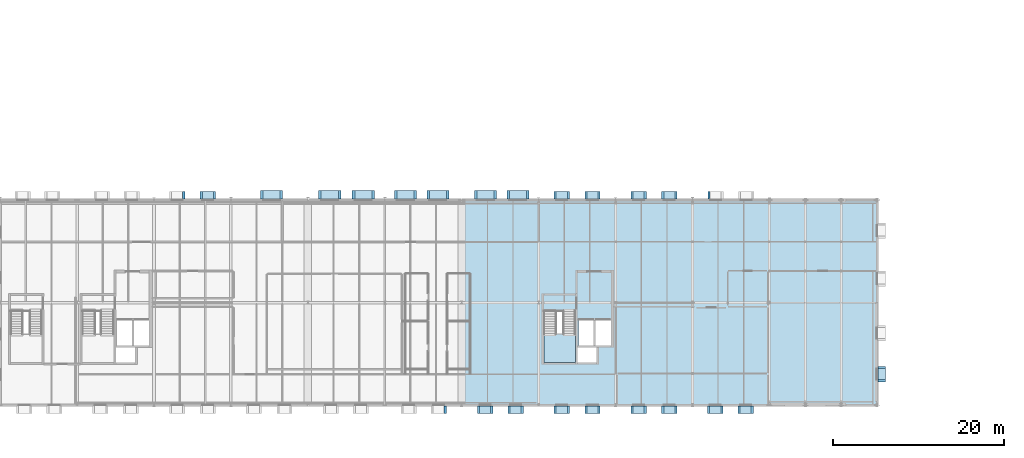
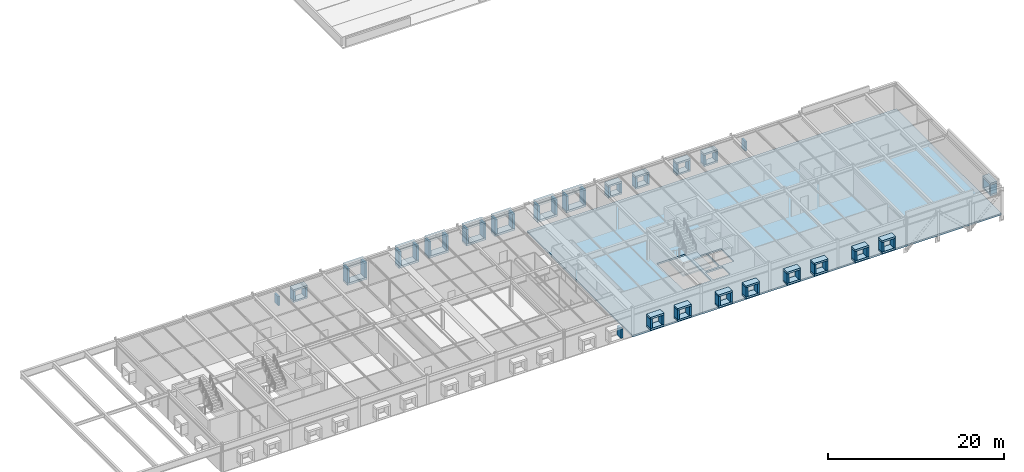
# One storey, part 17 of 36: 87 plates, 2 slabs, 1 element without a shape of its own.
"""IFC4 building model written with IfcOpenShell, lengths in metres."""

from ifc_helpers import new_model, si_unit, direction, frame, origin, origin_2d, place, context, subcontext, project, spatial, polyline, rectangle, outline, extrude, material, layer, layer_set, type_object, element, aggregate, save


model = new_model("IFC4")

# Units and contexts
model_context = context("Model", 3, precision=1e-05, world=origin(), true_north=direction((0.0, 1.0)))
body_context = subcontext(model_context, "Body", "Model", "MODEL_VIEW")
ifc_project = project(units=[si_unit("LENGTHUNIT", "METRE"), si_unit("AREAUNIT", "SQUARE_METRE"), si_unit("VOLUMEUNIT", "CUBIC_METRE"), si_unit("PLANEANGLEUNIT", "RADIAN"), si_unit("MASSUNIT", "GRAM", prefix="KILO")], contexts=[model_context])

# Site, building, storey
site_placement = place(None, origin())
site = spatial("IfcSite", under=ifc_project, at=site_placement, CompositionType="ELEMENT")
building_placement = place(site_placement, origin())
building = spatial("IfcBuilding", under=site, at=building_placement, Name="Montelvaro Courts of Justice", CompositionType="ELEMENT")
storey_placement = place(building_placement, frame((0.0, 0.0, 23.39990234375)))
storey = spatial("IfcBuildingStorey", under=building, at=storey_placement, Name="L05", CompositionType="ELEMENT", Elevation=23.39990234375)

# Slab
ifc_material_1 = material(Name="Concrete C35/45", Category="concrete")
ifc_layer_1 = layer(ifc_material_1, 0.239990234375)
ifc_layer_set_1 = layer_set([ifc_layer_1], Name="Concrete C35/45")
slab_type_1 = type_object("IfcSlabType", Name="FloorSlab_240", PredefinedType="FLOOR", material=ifc_layer_set_1)
slab_1_placement = place(storey_placement, frame((0.0, 0.0, -0.239990234375)))
element("IfcSlab", 1, at=slab_1_placement, inside=storey, type_object=slab_type_1, Name="Structural Slab SF-08 L05", PredefinedType="FLOOR", context=body_context, shape_type="SweptSolid", body=[
    extrude(outline(polyline([(99.050048828125, 0.0), (147.60009765625, 0.0), (147.60009765625, 24.0), (99.050048828125, 24.0), (99.050048828125, 0.0)]), holes=[polyline([(108.60009765625, 5.0), (112.300048828125, 5.0), (112.300048828125, 11.0), (108.60009765625, 11.0), (108.60009765625, 5.0)]), polyline([(112.5400390625, 5.0), (114.800048828125, 5.0), (114.800048828125, 6.760009765625), (112.5400390625, 6.760009765625), (112.5400390625, 5.0)]), polyline([(112.64990234375, 7.0), (114.5, 7.0), (114.5, 9.89990234375), (112.64990234375, 9.89990234375), (112.64990234375, 7.0)]), polyline([(114.60009765625, 7.0), (116.449951171875, 7.0), (116.449951171875, 9.89990234375), (114.60009765625, 9.89990234375), (114.60009765625, 7.0)])]), origin(), (0.0, 0.0, 1.0), 0.239990234375),
])

# Plates
ifc_material_2 = material(Name="White mineral precast concrete C45/55", Category="concrete")
ifc_layer_2 = layer(ifc_material_2, 0.25)
ifc_layer_set_2 = layer_set([ifc_layer_2], Name="White mineral precast concrete C45/55")
plate_type_1 = type_object("IfcPlateType", Name="PrecastSquareFrame_250x850", PredefinedType="SHEET", material=ifc_layer_set_2)
for number, where, z_axis, x_axis, name in (
    (2, (69.297119140625, 24.56005859375, 2.2001953125), (0.0, 0.0, 1.0), (-1.0, 0.0, 0.0), "Graduated Square Window Frame PF-03 W-L05-246 TOP"),
    (3, (69.297119140625, 24.56005859375, 0.650146484375), (0.0, 0.0, 1.0), (-1.0, 0.0, 0.0), "Graduated Square Window Frame PF-03 W-L05-246 BOT"),
):
    element("IfcPlate", number, at=place(storey_placement, frame(where, z_axis=z_axis, x_axis=x_axis)), inside=storey, type_object=plate_type_1, Name=name, PredefinedType="SHEET", context=body_context, shape_type="SweptSolid", body=[
        extrude(rectangle(XDim=1.800048828125, YDim=0.860107421875, at=origin_2d()), origin(), (0.0, 0.0, 1.0), 0.25),
    ])
for number, where, z_axis, x_axis, name in (
    (4, (70.072021484375, 24.56005859375, 0.89990234375), (0.0, 0.0, 1.0), (-1.0, 0.0, 0.0), "Graduated Square Window Frame PF-03 W-L05-246 L"),
    (5, (68.52197265625, 24.56005859375, 0.89990234375), (0.0, 0.0, 1.0), (-1.0, 0.0, 0.0), "Graduated Square Window Frame PF-03 W-L05-246 R"),
    (6, (66.47802734375, 24.56005859375, 0.89990234375), (0.0, 0.0, 1.0), (-1.0, 0.0, 0.0), "Graduated Square Window Frame PF-03 W-L05-247 L"),
    (7, (97.08203125, -0.56005859375, 0.89990234375), (0.0, 0.0, 1.0), (1.0, 0.0, 0.0), "Graduated Square Window Frame PF-03 W-L05-259 R"),
):
    element("IfcPlate", number, at=place(storey_placement, frame(where, z_axis=z_axis, x_axis=x_axis)), inside=storey, type_object=plate_type_1, Name=name, PredefinedType="SHEET", context=body_context, shape_type="SweptSolid", body=[
        extrude(rectangle(XDim=0.25, YDim=0.860107421875, at=origin_2d()), origin(), (0.0, 0.0, 1.0), 1.300048828125),
    ])
for number, where, z_axis, x_axis, name in (
    (8, (101.738037109375, -0.56005859375, 2.2001953125), (0.0, 0.0, 1.0), (1.0, 0.0, 0.0), "Graduated Square Window Frame PF-03 W-L05-264 TOP"),
    (9, (101.738037109375, -0.56005859375, 0.650146484375), (0.0, 0.0, 1.0), (1.0, 0.0, 0.0), "Graduated Square Window Frame PF-03 W-L05-264 BOT"),
):
    element("IfcPlate", number, at=place(storey_placement, frame(where, z_axis=z_axis, x_axis=x_axis)), inside=storey, type_object=plate_type_1, Name=name, PredefinedType="SHEET", context=body_context, shape_type="SweptSolid", body=[
        extrude(rectangle(XDim=1.800048828125, YDim=0.860107421875, at=origin_2d()), origin(), (0.0, 0.0, 1.0), 0.25),
    ])
for number, where, z_axis, x_axis, name in (
    (10, (100.962890625, -0.56005859375, 0.89990234375), (0.0, 0.0, 1.0), (1.0, 0.0, 0.0), "Graduated Square Window Frame PF-03 W-L05-264 L"),
    (11, (102.512939453125, -0.56005859375, 0.89990234375), (0.0, 0.0, 1.0), (1.0, 0.0, 0.0), "Graduated Square Window Frame PF-03 W-L05-264 R"),
):
    element("IfcPlate", number, at=place(storey_placement, frame(where, z_axis=z_axis, x_axis=x_axis)), inside=storey, type_object=plate_type_1, Name=name, PredefinedType="SHEET", context=body_context, shape_type="SweptSolid", body=[
        extrude(rectangle(XDim=0.25, YDim=0.860107421875, at=origin_2d()), origin(), (0.0, 0.0, 1.0), 1.300048828125),
    ])
for number, where, z_axis, x_axis, name in (
    (12, (105.31201171875, -0.56005859375, 2.2001953125), (0.0, 0.0, 1.0), (1.0, 0.0, 0.0), "Graduated Square Window Frame PF-03 W-L05-265 TOP"),
    (13, (105.31201171875, -0.56005859375, 0.650146484375), (0.0, 0.0, 1.0), (1.0, 0.0, 0.0), "Graduated Square Window Frame PF-03 W-L05-265 BOT"),
):
    element("IfcPlate", number, at=place(storey_placement, frame(where, z_axis=z_axis, x_axis=x_axis)), inside=storey, type_object=plate_type_1, Name=name, PredefinedType="SHEET", context=body_context, shape_type="SweptSolid", body=[
        extrude(rectangle(XDim=1.800048828125, YDim=0.860107421875, at=origin_2d()), origin(), (0.0, 0.0, 1.0), 0.25),
    ])
for number, where, z_axis, x_axis, name in (
    (14, (104.537109375, -0.56005859375, 0.89990234375), (0.0, 0.0, 1.0), (1.0, 0.0, 0.0), "Graduated Square Window Frame PF-03 W-L05-265 L"),
    (15, (106.0869140625, -0.56005859375, 0.89990234375), (0.0, 0.0, 1.0), (1.0, 0.0, 0.0), "Graduated Square Window Frame PF-03 W-L05-265 R"),
):
    element("IfcPlate", number, at=place(storey_placement, frame(where, z_axis=z_axis, x_axis=x_axis)), inside=storey, type_object=plate_type_1, Name=name, PredefinedType="SHEET", context=body_context, shape_type="SweptSolid", body=[
        extrude(rectangle(XDim=0.25, YDim=0.860107421875, at=origin_2d()), origin(), (0.0, 0.0, 1.0), 1.300048828125),
    ])
for number, where, z_axis, x_axis, name in (
    (16, (110.702880859375, -0.56005859375, 2.2001953125), (0.0, 0.0, 1.0), (1.0, 0.0, 0.0), "Graduated Square Window Frame PF-03 W-L05-266 TOP"),
    (17, (110.702880859375, -0.56005859375, 0.650146484375), (0.0, 0.0, 1.0), (1.0, 0.0, 0.0), "Graduated Square Window Frame PF-03 W-L05-266 BOT"),
):
    element("IfcPlate", number, at=place(storey_placement, frame(where, z_axis=z_axis, x_axis=x_axis)), inside=storey, type_object=plate_type_1, Name=name, PredefinedType="SHEET", context=body_context, shape_type="SweptSolid", body=[
        extrude(rectangle(XDim=1.800048828125, YDim=0.860107421875, at=origin_2d()), origin(), (0.0, 0.0, 1.0), 0.25),
    ])
for number, where, z_axis, x_axis, name in (
    (18, (109.927978515625, -0.56005859375, 0.89990234375), (0.0, 0.0, 1.0), (1.0, 0.0, 0.0), "Graduated Square Window Frame PF-03 W-L05-266 L"),
    (19, (111.47802734375, -0.56005859375, 0.89990234375), (0.0, 0.0, 1.0), (1.0, 0.0, 0.0), "Graduated Square Window Frame PF-03 W-L05-266 R"),
):
    element("IfcPlate", number, at=place(storey_placement, frame(where, z_axis=z_axis, x_axis=x_axis)), inside=storey, type_object=plate_type_1, Name=name, PredefinedType="SHEET", context=body_context, shape_type="SweptSolid", body=[
        extrude(rectangle(XDim=0.25, YDim=0.860107421875, at=origin_2d()), origin(), (0.0, 0.0, 1.0), 1.300048828125),
    ])
for number, where, z_axis, x_axis, name in (
    (20, (114.297119140625, -0.56005859375, 2.2001953125), (0.0, 0.0, 1.0), (1.0, 0.0, 0.0), "Graduated Square Window Frame PF-03 W-L05-267 TOP"),
    (21, (114.297119140625, -0.56005859375, 0.650146484375), (0.0, 0.0, 1.0), (1.0, 0.0, 0.0), "Graduated Square Window Frame PF-03 W-L05-267 BOT"),
):
    element("IfcPlate", number, at=place(storey_placement, frame(where, z_axis=z_axis, x_axis=x_axis)), inside=storey, type_object=plate_type_1, Name=name, PredefinedType="SHEET", context=body_context, shape_type="SweptSolid", body=[
        extrude(rectangle(XDim=1.800048828125, YDim=0.860107421875, at=origin_2d()), origin(), (0.0, 0.0, 1.0), 0.25),
    ])
for number, where, z_axis, x_axis, name in (
    (22, (113.52197265625, -0.56005859375, 0.89990234375), (0.0, 0.0, 1.0), (1.0, 0.0, 0.0), "Graduated Square Window Frame PF-03 W-L05-267 L"),
    (23, (115.072021484375, -0.56005859375, 0.89990234375), (0.0, 0.0, 1.0), (1.0, 0.0, 0.0), "Graduated Square Window Frame PF-03 W-L05-267 R"),
):
    element("IfcPlate", number, at=place(storey_placement, frame(where, z_axis=z_axis, x_axis=x_axis)), inside=storey, type_object=plate_type_1, Name=name, PredefinedType="SHEET", context=body_context, shape_type="SweptSolid", body=[
        extrude(rectangle(XDim=0.25, YDim=0.860107421875, at=origin_2d()), origin(), (0.0, 0.0, 1.0), 1.300048828125),
    ])
for number, where, z_axis, x_axis, name in (
    (24, (119.702880859375, -0.56005859375, 2.2001953125), (0.0, 0.0, 1.0), (1.0, 0.0, 0.0), "Graduated Square Window Frame PF-03 W-L05-268 TOP"),
    (25, (119.702880859375, -0.56005859375, 0.650146484375), (0.0, 0.0, 1.0), (1.0, 0.0, 0.0), "Graduated Square Window Frame PF-03 W-L05-268 BOT"),
):
    element("IfcPlate", number, at=place(storey_placement, frame(where, z_axis=z_axis, x_axis=x_axis)), inside=storey, type_object=plate_type_1, Name=name, PredefinedType="SHEET", context=body_context, shape_type="SweptSolid", body=[
        extrude(rectangle(XDim=1.800048828125, YDim=0.860107421875, at=origin_2d()), origin(), (0.0, 0.0, 1.0), 0.25),
    ])
for number, where, z_axis, x_axis, name in (
    (26, (118.927978515625, -0.56005859375, 0.89990234375), (0.0, 0.0, 1.0), (1.0, 0.0, 0.0), "Graduated Square Window Frame PF-03 W-L05-268 L"),
    (27, (120.47802734375, -0.56005859375, 0.89990234375), (0.0, 0.0, 1.0), (1.0, 0.0, 0.0), "Graduated Square Window Frame PF-03 W-L05-268 R"),
):
    element("IfcPlate", number, at=place(storey_placement, frame(where, z_axis=z_axis, x_axis=x_axis)), inside=storey, type_object=plate_type_1, Name=name, PredefinedType="SHEET", context=body_context, shape_type="SweptSolid", body=[
        extrude(rectangle(XDim=0.25, YDim=0.860107421875, at=origin_2d()), origin(), (0.0, 0.0, 1.0), 1.300048828125),
    ])
for number, where, z_axis, x_axis, name in (
    (28, (123.297119140625, -0.56005859375, 2.2001953125), (0.0, 0.0, 1.0), (1.0, 0.0, 0.0), "Graduated Square Window Frame PF-03 W-L05-269 TOP"),
    (29, (123.297119140625, -0.56005859375, 0.650146484375), (0.0, 0.0, 1.0), (1.0, 0.0, 0.0), "Graduated Square Window Frame PF-03 W-L05-269 BOT"),
):
    element("IfcPlate", number, at=place(storey_placement, frame(where, z_axis=z_axis, x_axis=x_axis)), inside=storey, type_object=plate_type_1, Name=name, PredefinedType="SHEET", context=body_context, shape_type="SweptSolid", body=[
        extrude(rectangle(XDim=1.800048828125, YDim=0.860107421875, at=origin_2d()), origin(), (0.0, 0.0, 1.0), 0.25),
    ])
for number, where, z_axis, x_axis, name in (
    (30, (122.52197265625, -0.56005859375, 0.89990234375), (0.0, 0.0, 1.0), (1.0, 0.0, 0.0), "Graduated Square Window Frame PF-03 W-L05-269 L"),
    (31, (124.072021484375, -0.56005859375, 0.89990234375), (0.0, 0.0, 1.0), (1.0, 0.0, 0.0), "Graduated Square Window Frame PF-03 W-L05-269 R"),
):
    element("IfcPlate", number, at=place(storey_placement, frame(where, z_axis=z_axis, x_axis=x_axis)), inside=storey, type_object=plate_type_1, Name=name, PredefinedType="SHEET", context=body_context, shape_type="SweptSolid", body=[
        extrude(rectangle(XDim=0.25, YDim=0.860107421875, at=origin_2d()), origin(), (0.0, 0.0, 1.0), 1.300048828125),
    ])
for number, where, z_axis, x_axis, name in (
    (32, (128.6669921875, -0.56005859375, 2.2001953125), (0.0, 0.0, 1.0), (1.0, 0.0, 0.0), "Graduated Square Window Frame PF-03 W-L05-270 TOP"),
    (33, (128.6669921875, -0.56005859375, 0.650146484375), (0.0, 0.0, 1.0), (1.0, 0.0, 0.0), "Graduated Square Window Frame PF-03 W-L05-270 BOT"),
):
    element("IfcPlate", number, at=place(storey_placement, frame(where, z_axis=z_axis, x_axis=x_axis)), inside=storey, type_object=plate_type_1, Name=name, PredefinedType="SHEET", context=body_context, shape_type="SweptSolid", body=[
        extrude(rectangle(XDim=1.800048828125, YDim=0.860107421875, at=origin_2d()), origin(), (0.0, 0.0, 1.0), 0.25),
    ])
for number, where, z_axis, x_axis, name in (
    (34, (127.89208984375, -0.56005859375, 0.89990234375), (0.0, 0.0, 1.0), (1.0, 0.0, 0.0), "Graduated Square Window Frame PF-03 W-L05-270 L"),
    (35, (129.44189453125, -0.56005859375, 0.89990234375), (0.0, 0.0, 1.0), (1.0, 0.0, 0.0), "Graduated Square Window Frame PF-03 W-L05-270 R"),
):
    element("IfcPlate", number, at=place(storey_placement, frame(where, z_axis=z_axis, x_axis=x_axis)), inside=storey, type_object=plate_type_1, Name=name, PredefinedType="SHEET", context=body_context, shape_type="SweptSolid", body=[
        extrude(rectangle(XDim=0.25, YDim=0.860107421875, at=origin_2d()), origin(), (0.0, 0.0, 1.0), 1.300048828125),
    ])
for number, where, z_axis, x_axis, name in (
    (36, (132.212890625, -0.56005859375, 2.2001953125), (0.0, 0.0, 1.0), (1.0, 0.0, 0.0), "Graduated Square Window Frame PF-03 W-L05-271 TOP"),
    (37, (132.212890625, -0.56005859375, 0.650146484375), (0.0, 0.0, 1.0), (1.0, 0.0, 0.0), "Graduated Square Window Frame PF-03 W-L05-271 BOT"),
):
    element("IfcPlate", number, at=place(storey_placement, frame(where, z_axis=z_axis, x_axis=x_axis)), inside=storey, type_object=plate_type_1, Name=name, PredefinedType="SHEET", context=body_context, shape_type="SweptSolid", body=[
        extrude(rectangle(XDim=1.800048828125, YDim=0.860107421875, at=origin_2d()), origin(), (0.0, 0.0, 1.0), 0.25),
    ])
for number, where, z_axis, x_axis, name in (
    (38, (131.43798828125, -0.56005859375, 0.89990234375), (0.0, 0.0, 1.0), (1.0, 0.0, 0.0), "Graduated Square Window Frame PF-03 W-L05-271 L"),
    (39, (132.988037109375, -0.56005859375, 0.89990234375), (0.0, 0.0, 1.0), (1.0, 0.0, 0.0), "Graduated Square Window Frame PF-03 W-L05-271 R"),
):
    element("IfcPlate", number, at=place(storey_placement, frame(where, z_axis=z_axis, x_axis=x_axis)), inside=storey, type_object=plate_type_1, Name=name, PredefinedType="SHEET", context=body_context, shape_type="SweptSolid", body=[
        extrude(rectangle(XDim=0.25, YDim=0.860107421875, at=origin_2d()), origin(), (0.0, 0.0, 1.0), 1.300048828125),
    ])
for number, where, z_axis, x_axis, name in (
    (40, (148.159912109375, 3.631103515625, 2.2001953125), (0.0, 0.0, 1.0), (0.0, 1.0, 0.0), "Graduated Square Window Frame PF-03 W-L05-272 TOP"),
    (41, (148.159912109375, 3.631103515625, 0.650146484375), (0.0, 0.0, 1.0), (0.0, 1.0, 0.0), "Graduated Square Window Frame PF-03 W-L05-272 BOT"),
):
    element("IfcPlate", number, at=place(storey_placement, frame(where, z_axis=z_axis, x_axis=x_axis)), inside=storey, type_object=plate_type_1, Name=name, PredefinedType="SHEET", context=body_context, shape_type="SweptSolid", body=[
        extrude(rectangle(XDim=1.800048828125, YDim=0.860107421875, at=origin_2d()), origin(), (0.0, 0.0, 1.0), 0.25),
    ])
for number, where, z_axis, x_axis, name in (
    (42, (148.159912109375, 2.85595703125, 0.89990234375), (0.0, 0.0, 1.0), (0.0, 1.0, 0.0), "Graduated Square Window Frame PF-03 W-L05-272 L"),
    (43, (148.159912109375, 4.406005859375, 0.89990234375), (0.0, 0.0, 1.0), (0.0, 1.0, 0.0), "Graduated Square Window Frame PF-03 W-L05-272 R"),
    (44, (127.927978515625, 24.56005859375, 0.89990234375), (0.0, 0.0, 1.0), (-1.0, 0.0, 0.0), "Graduated Square Window Frame PF-03 W-L05-277 R"),
):
    element("IfcPlate", number, at=place(storey_placement, frame(where, z_axis=z_axis, x_axis=x_axis)), inside=storey, type_object=plate_type_1, Name=name, PredefinedType="SHEET", context=body_context, shape_type="SweptSolid", body=[
        extrude(rectangle(XDim=0.25, YDim=0.860107421875, at=origin_2d()), origin(), (0.0, 0.0, 1.0), 1.300048828125),
    ])
for number, where, z_axis, x_axis, name in (
    (45, (123.297119140625, 24.56005859375, 2.2001953125), (0.0, 0.0, 1.0), (-1.0, 0.0, 0.0), "Graduated Square Window Frame PF-03 W-L05-278 TOP"),
    (46, (123.297119140625, 24.56005859375, 0.650146484375), (0.0, 0.0, 1.0), (-1.0, 0.0, 0.0), "Graduated Square Window Frame PF-03 W-L05-278 BOT"),
):
    element("IfcPlate", number, at=place(storey_placement, frame(where, z_axis=z_axis, x_axis=x_axis)), inside=storey, type_object=plate_type_1, Name=name, PredefinedType="SHEET", context=body_context, shape_type="SweptSolid", body=[
        extrude(rectangle(XDim=1.800048828125, YDim=0.860107421875, at=origin_2d()), origin(), (0.0, 0.0, 1.0), 0.25),
    ])
for number, where, z_axis, x_axis, name in (
    (47, (124.072021484375, 24.56005859375, 0.89990234375), (0.0, 0.0, 1.0), (-1.0, 0.0, 0.0), "Graduated Square Window Frame PF-03 W-L05-278 L"),
    (48, (122.52197265625, 24.56005859375, 0.89990234375), (0.0, 0.0, 1.0), (-1.0, 0.0, 0.0), "Graduated Square Window Frame PF-03 W-L05-278 R"),
):
    element("IfcPlate", number, at=place(storey_placement, frame(where, z_axis=z_axis, x_axis=x_axis)), inside=storey, type_object=plate_type_1, Name=name, PredefinedType="SHEET", context=body_context, shape_type="SweptSolid", body=[
        extrude(rectangle(XDim=0.25, YDim=0.860107421875, at=origin_2d()), origin(), (0.0, 0.0, 1.0), 1.300048828125),
    ])
for number, where, z_axis, x_axis, name in (
    (49, (119.702880859375, 24.56005859375, 2.2001953125), (0.0, 0.0, 1.0), (-1.0, 0.0, 0.0), "Graduated Square Window Frame PF-03 W-L05-279 TOP"),
    (50, (119.702880859375, 24.56005859375, 0.650146484375), (0.0, 0.0, 1.0), (-1.0, 0.0, 0.0), "Graduated Square Window Frame PF-03 W-L05-279 BOT"),
):
    element("IfcPlate", number, at=place(storey_placement, frame(where, z_axis=z_axis, x_axis=x_axis)), inside=storey, type_object=plate_type_1, Name=name, PredefinedType="SHEET", context=body_context, shape_type="SweptSolid", body=[
        extrude(rectangle(XDim=1.800048828125, YDim=0.860107421875, at=origin_2d()), origin(), (0.0, 0.0, 1.0), 0.25),
    ])
for number, where, z_axis, x_axis, name in (
    (51, (120.47802734375, 24.56005859375, 0.89990234375), (0.0, 0.0, 1.0), (-1.0, 0.0, 0.0), "Graduated Square Window Frame PF-03 W-L05-279 L"),
    (52, (118.927978515625, 24.56005859375, 0.89990234375), (0.0, 0.0, 1.0), (-1.0, 0.0, 0.0), "Graduated Square Window Frame PF-03 W-L05-279 R"),
):
    element("IfcPlate", number, at=place(storey_placement, frame(where, z_axis=z_axis, x_axis=x_axis)), inside=storey, type_object=plate_type_1, Name=name, PredefinedType="SHEET", context=body_context, shape_type="SweptSolid", body=[
        extrude(rectangle(XDim=0.25, YDim=0.860107421875, at=origin_2d()), origin(), (0.0, 0.0, 1.0), 1.300048828125),
    ])
for number, where, z_axis, x_axis, name in (
    (53, (114.297119140625, 24.56005859375, 2.2001953125), (0.0, 0.0, 1.0), (-1.0, 0.0, 0.0), "Graduated Square Window Frame PF-03 W-L05-280 TOP"),
    (54, (114.297119140625, 24.56005859375, 0.650146484375), (0.0, 0.0, 1.0), (-1.0, 0.0, 0.0), "Graduated Square Window Frame PF-03 W-L05-280 BOT"),
):
    element("IfcPlate", number, at=place(storey_placement, frame(where, z_axis=z_axis, x_axis=x_axis)), inside=storey, type_object=plate_type_1, Name=name, PredefinedType="SHEET", context=body_context, shape_type="SweptSolid", body=[
        extrude(rectangle(XDim=1.800048828125, YDim=0.860107421875, at=origin_2d()), origin(), (0.0, 0.0, 1.0), 0.25),
    ])
for number, where, z_axis, x_axis, name in (
    (55, (115.072021484375, 24.56005859375, 0.89990234375), (0.0, 0.0, 1.0), (-1.0, 0.0, 0.0), "Graduated Square Window Frame PF-03 W-L05-280 L"),
    (56, (113.52197265625, 24.56005859375, 0.89990234375), (0.0, 0.0, 1.0), (-1.0, 0.0, 0.0), "Graduated Square Window Frame PF-03 W-L05-280 R"),
):
    element("IfcPlate", number, at=place(storey_placement, frame(where, z_axis=z_axis, x_axis=x_axis)), inside=storey, type_object=plate_type_1, Name=name, PredefinedType="SHEET", context=body_context, shape_type="SweptSolid", body=[
        extrude(rectangle(XDim=0.25, YDim=0.860107421875, at=origin_2d()), origin(), (0.0, 0.0, 1.0), 1.300048828125),
    ])
for number, where, z_axis, x_axis, name in (
    (57, (110.702880859375, 24.56005859375, 2.2001953125), (0.0, 0.0, 1.0), (-1.0, 0.0, 0.0), "Graduated Square Window Frame PF-03 W-L05-281 TOP"),
    (58, (110.702880859375, 24.56005859375, 0.650146484375), (0.0, 0.0, 1.0), (-1.0, 0.0, 0.0), "Graduated Square Window Frame PF-03 W-L05-281 BOT"),
):
    element("IfcPlate", number, at=place(storey_placement, frame(where, z_axis=z_axis, x_axis=x_axis)), inside=storey, type_object=plate_type_1, Name=name, PredefinedType="SHEET", context=body_context, shape_type="SweptSolid", body=[
        extrude(rectangle(XDim=1.800048828125, YDim=0.860107421875, at=origin_2d()), origin(), (0.0, 0.0, 1.0), 0.25),
    ])
for number, where, z_axis, x_axis, name in (
    (59, (111.47802734375, 24.56005859375, 0.89990234375), (0.0, 0.0, 1.0), (-1.0, 0.0, 0.0), "Graduated Square Window Frame PF-03 W-L05-281 L"),
    (60, (109.927978515625, 24.56005859375, 0.89990234375), (0.0, 0.0, 1.0), (-1.0, 0.0, 0.0), "Graduated Square Window Frame PF-03 W-L05-281 R"),
):
    element("IfcPlate", number, at=place(storey_placement, frame(where, z_axis=z_axis, x_axis=x_axis)), inside=storey, type_object=plate_type_1, Name=name, PredefinedType="SHEET", context=body_context, shape_type="SweptSolid", body=[
        extrude(rectangle(XDim=0.25, YDim=0.860107421875, at=origin_2d()), origin(), (0.0, 0.0, 1.0), 1.300048828125),
    ])
ifc_layer_3 = layer(ifc_material_2, 0.300048828125)
ifc_layer_set_3 = layer_set([ifc_layer_3], Name="White mineral precast concrete C45/55")
plate_type_2 = type_object("IfcPlateType", Name="PrecastSquareFrame_300x950", PredefinedType="SHEET", material=ifc_layer_set_3)
for number, where, z_axis, x_axis, name in (
    (61, (76.760009765625, 24.610107421875, 2.85009765625), (0.0, 0.0, 1.0), (-1.0, 0.0, 0.0), "Graduated Square Window Frame PF-02 W-L05-245 TOP"),
    (62, (76.760009765625, 24.610107421875, 0.55029296875), (0.0, 0.0, 1.0), (-1.0, 0.0, 0.0), "Graduated Square Window Frame PF-02 W-L05-245 BOT"),
):
    element("IfcPlate", number, at=place(storey_placement, frame(where, z_axis=z_axis, x_axis=x_axis)), inside=storey, type_object=plate_type_2, Name=name, PredefinedType="SHEET", context=body_context, shape_type="SweptSolid", body=[
        extrude(rectangle(XDim=2.60009765625, YDim=0.9599609375, at=origin_2d()), origin(), (0.0, 0.0, 1.0), 0.300048828125),
    ])
for number, where, z_axis, x_axis, name in (
    (63, (77.909912109375, 24.610107421875, 0.85009765625), (0.0, 0.0, 1.0), (-1.0, 0.0, 0.0), "Graduated Square Window Frame PF-02 W-L05-245 L"),
    (64, (75.610107421875, 24.610107421875, 0.85009765625), (0.0, 0.0, 1.0), (-1.0, 0.0, 0.0), "Graduated Square Window Frame PF-02 W-L05-245 R"),
):
    element("IfcPlate", number, at=place(storey_placement, frame(where, z_axis=z_axis, x_axis=x_axis)), inside=storey, type_object=plate_type_2, Name=name, PredefinedType="SHEET", context=body_context, shape_type="SweptSolid", body=[
        extrude(rectangle(XDim=0.300048828125, YDim=0.9599609375, at=origin_2d()), origin(), (0.0, 0.0, 1.0), 2.0),
    ])
for number, where, z_axis, x_axis, name in (
    (65, (96.214111328125, 24.610107421875, 2.85009765625), (0.0, 0.0, 1.0), (-1.0, 0.0, 0.0), "Graduated Square Window Frame PF-02 W-L05-260 TOP"),
    (66, (96.214111328125, 24.610107421875, 0.55029296875), (0.0, 0.0, 1.0), (-1.0, 0.0, 0.0), "Graduated Square Window Frame PF-02 W-L05-260 BOT"),
):
    element("IfcPlate", number, at=place(storey_placement, frame(where, z_axis=z_axis, x_axis=x_axis)), inside=storey, type_object=plate_type_2, Name=name, PredefinedType="SHEET", context=body_context, shape_type="SweptSolid", body=[
        extrude(rectangle(XDim=2.60009765625, YDim=0.9599609375, at=origin_2d()), origin(), (0.0, 0.0, 1.0), 0.300048828125),
    ])
for number, where, z_axis, x_axis, name in (
    (67, (97.364013671875, 24.610107421875, 0.85009765625), (0.0, 0.0, 1.0), (-1.0, 0.0, 0.0), "Graduated Square Window Frame PF-02 W-L05-260 L"),
    (68, (95.06396484375, 24.610107421875, 0.85009765625), (0.0, 0.0, 1.0), (-1.0, 0.0, 0.0), "Graduated Square Window Frame PF-02 W-L05-260 R"),
):
    element("IfcPlate", number, at=place(storey_placement, frame(where, z_axis=z_axis, x_axis=x_axis)), inside=storey, type_object=plate_type_2, Name=name, PredefinedType="SHEET", context=body_context, shape_type="SweptSolid", body=[
        extrude(rectangle(XDim=0.300048828125, YDim=0.9599609375, at=origin_2d()), origin(), (0.0, 0.0, 1.0), 2.0),
    ])
for number, where, z_axis, x_axis, name in (
    (69, (92.4208984375, 24.610107421875, 2.85009765625), (0.0, 0.0, 1.0), (-1.0, 0.0, 0.0), "Graduated Square Window Frame PF-02 W-L05-261 TOP"),
    (70, (92.4208984375, 24.610107421875, 0.55029296875), (0.0, 0.0, 1.0), (-1.0, 0.0, 0.0), "Graduated Square Window Frame PF-02 W-L05-261 BOT"),
):
    element("IfcPlate", number, at=place(storey_placement, frame(where, z_axis=z_axis, x_axis=x_axis)), inside=storey, type_object=plate_type_2, Name=name, PredefinedType="SHEET", context=body_context, shape_type="SweptSolid", body=[
        extrude(rectangle(XDim=2.60009765625, YDim=0.9599609375, at=origin_2d()), origin(), (0.0, 0.0, 1.0), 0.300048828125),
    ])
for number, where, z_axis, x_axis, name in (
    (71, (93.571044921875, 24.610107421875, 0.85009765625), (0.0, 0.0, 1.0), (-1.0, 0.0, 0.0), "Graduated Square Window Frame PF-02 W-L05-261 L"),
    (72, (91.27099609375, 24.610107421875, 0.85009765625), (0.0, 0.0, 1.0), (-1.0, 0.0, 0.0), "Graduated Square Window Frame PF-02 W-L05-261 R"),
):
    element("IfcPlate", number, at=place(storey_placement, frame(where, z_axis=z_axis, x_axis=x_axis)), inside=storey, type_object=plate_type_2, Name=name, PredefinedType="SHEET", context=body_context, shape_type="SweptSolid", body=[
        extrude(rectangle(XDim=0.300048828125, YDim=0.9599609375, at=origin_2d()), origin(), (0.0, 0.0, 1.0), 2.0),
    ])
for number, where, z_axis, x_axis, name in (
    (73, (87.489990234375, 24.610107421875, 2.85009765625), (0.0, 0.0, 1.0), (-1.0, 0.0, 0.0), "Graduated Square Window Frame PF-02 W-L05-262 TOP"),
    (74, (87.489990234375, 24.610107421875, 0.55029296875), (0.0, 0.0, 1.0), (-1.0, 0.0, 0.0), "Graduated Square Window Frame PF-02 W-L05-262 BOT"),
):
    element("IfcPlate", number, at=place(storey_placement, frame(where, z_axis=z_axis, x_axis=x_axis)), inside=storey, type_object=plate_type_2, Name=name, PredefinedType="SHEET", context=body_context, shape_type="SweptSolid", body=[
        extrude(rectangle(XDim=2.60009765625, YDim=0.9599609375, at=origin_2d()), origin(), (0.0, 0.0, 1.0), 0.300048828125),
    ])
for number, where, z_axis, x_axis, name in (
    (75, (88.639892578125, 24.610107421875, 0.85009765625), (0.0, 0.0, 1.0), (-1.0, 0.0, 0.0), "Graduated Square Window Frame PF-02 W-L05-262 L"),
    (76, (86.340087890625, 24.610107421875, 0.85009765625), (0.0, 0.0, 1.0), (-1.0, 0.0, 0.0), "Graduated Square Window Frame PF-02 W-L05-262 R"),
):
    element("IfcPlate", number, at=place(storey_placement, frame(where, z_axis=z_axis, x_axis=x_axis)), inside=storey, type_object=plate_type_2, Name=name, PredefinedType="SHEET", context=body_context, shape_type="SweptSolid", body=[
        extrude(rectangle(XDim=0.300048828125, YDim=0.9599609375, at=origin_2d()), origin(), (0.0, 0.0, 1.0), 2.0),
    ])
for number, where, z_axis, x_axis, name in (
    (77, (83.56005859375, 24.610107421875, 2.85009765625), (0.0, 0.0, 1.0), (-1.0, 0.0, 0.0), "Graduated Square Window Frame PF-02 W-L05-263 TOP"),
    (78, (83.56005859375, 24.610107421875, 0.55029296875), (0.0, 0.0, 1.0), (-1.0, 0.0, 0.0), "Graduated Square Window Frame PF-02 W-L05-263 BOT"),
):
    element("IfcPlate", number, at=place(storey_placement, frame(where, z_axis=z_axis, x_axis=x_axis)), inside=storey, type_object=plate_type_2, Name=name, PredefinedType="SHEET", context=body_context, shape_type="SweptSolid", body=[
        extrude(rectangle(XDim=2.60009765625, YDim=0.9599609375, at=origin_2d()), origin(), (0.0, 0.0, 1.0), 0.300048828125),
    ])
for number, where, z_axis, x_axis, name in (
    (79, (84.7099609375, 24.610107421875, 0.85009765625), (0.0, 0.0, 1.0), (-1.0, 0.0, 0.0), "Graduated Square Window Frame PF-02 W-L05-263 L"),
    (80, (82.409912109375, 24.610107421875, 0.85009765625), (0.0, 0.0, 1.0), (-1.0, 0.0, 0.0), "Graduated Square Window Frame PF-02 W-L05-263 R"),
):
    element("IfcPlate", number, at=place(storey_placement, frame(where, z_axis=z_axis, x_axis=x_axis)), inside=storey, type_object=plate_type_2, Name=name, PredefinedType="SHEET", context=body_context, shape_type="SweptSolid", body=[
        extrude(rectangle(XDim=0.300048828125, YDim=0.9599609375, at=origin_2d()), origin(), (0.0, 0.0, 1.0), 2.0),
    ])
for number, where, z_axis, x_axis, name in (
    (81, (105.5791015625, 24.610107421875, 2.85009765625), (0.0, 0.0, 1.0), (-1.0, 0.0, 0.0), "Graduated Square Window Frame PF-02 W-L05-282 TOP"),
    (82, (105.5791015625, 24.610107421875, 0.55029296875), (0.0, 0.0, 1.0), (-1.0, 0.0, 0.0), "Graduated Square Window Frame PF-02 W-L05-282 BOT"),
):
    element("IfcPlate", number, at=place(storey_placement, frame(where, z_axis=z_axis, x_axis=x_axis)), inside=storey, type_object=plate_type_2, Name=name, PredefinedType="SHEET", context=body_context, shape_type="SweptSolid", body=[
        extrude(rectangle(XDim=2.60009765625, YDim=0.9599609375, at=origin_2d()), origin(), (0.0, 0.0, 1.0), 0.300048828125),
    ])
for number, where, z_axis, x_axis, name in (
    (83, (106.72900390625, 24.610107421875, 0.85009765625), (0.0, 0.0, 1.0), (-1.0, 0.0, 0.0), "Graduated Square Window Frame PF-02 W-L05-282 L"),
    (84, (104.428955078125, 24.610107421875, 0.85009765625), (0.0, 0.0, 1.0), (-1.0, 0.0, 0.0), "Graduated Square Window Frame PF-02 W-L05-282 R"),
):
    element("IfcPlate", number, at=place(storey_placement, frame(where, z_axis=z_axis, x_axis=x_axis)), inside=storey, type_object=plate_type_2, Name=name, PredefinedType="SHEET", context=body_context, shape_type="SweptSolid", body=[
        extrude(rectangle(XDim=0.300048828125, YDim=0.9599609375, at=origin_2d()), origin(), (0.0, 0.0, 1.0), 2.0),
    ])
for number, where, z_axis, x_axis, name in (
    (85, (101.785888671875, 24.610107421875, 2.85009765625), (0.0, 0.0, 1.0), (-1.0, 0.0, 0.0), "Graduated Square Window Frame PF-02 W-L05-283 TOP"),
    (86, (101.785888671875, 24.610107421875, 0.55029296875), (0.0, 0.0, 1.0), (-1.0, 0.0, 0.0), "Graduated Square Window Frame PF-02 W-L05-283 BOT"),
):
    element("IfcPlate", number, at=place(storey_placement, frame(where, z_axis=z_axis, x_axis=x_axis)), inside=storey, type_object=plate_type_2, Name=name, PredefinedType="SHEET", context=body_context, shape_type="SweptSolid", body=[
        extrude(rectangle(XDim=2.60009765625, YDim=0.9599609375, at=origin_2d()), origin(), (0.0, 0.0, 1.0), 0.300048828125),
    ])
for number, where, z_axis, x_axis, name in (
    (87, (102.93603515625, 24.610107421875, 0.85009765625), (0.0, 0.0, 1.0), (-1.0, 0.0, 0.0), "Graduated Square Window Frame PF-02 W-L05-283 L"),
    (88, (100.635986328125, 24.610107421875, 0.85009765625), (0.0, 0.0, 1.0), (-1.0, 0.0, 0.0), "Graduated Square Window Frame PF-02 W-L05-283 R"),
):
    element("IfcPlate", number, at=place(storey_placement, frame(where, z_axis=z_axis, x_axis=x_axis)), inside=storey, type_object=plate_type_2, Name=name, PredefinedType="SHEET", context=body_context, shape_type="SweptSolid", body=[
        extrude(rectangle(XDim=0.300048828125, YDim=0.9599609375, at=origin_2d()), origin(), (0.0, 0.0, 1.0), 2.0),
    ])

# Stair, slab
stair_type = type_object("IfcStairType", Name="ProtectedStair_145", PredefinedType="HALF_TURN_STAIR", material=ifc_material_1)
stair_placement = place(storey_placement, origin())
stair = element("IfcStair", 89, at=stair_placement, inside=storey, type_object=stair_type, Name="Protected Stair ST-K2-L05", PredefinedType="HALF_TURN_STAIR")
ifc_layer_4 = layer(ifc_material_1, 0.199951171875)
ifc_layer_set_4 = layer_set([ifc_layer_4], Name="Concrete C35/45")
slab_type_2 = type_object("IfcSlabType", Name="StairLanding_200", PredefinedType="LANDING", material=ifc_layer_set_4)
slab_2_placement = place(storey_placement, frame((0.0, 0.0, 1.800048828125)))
slab_2 = element("IfcSlab", 90, at=slab_2_placement, type_object=slab_type_2, Name="ST-K2-L05 landing 1", PredefinedType="LANDING", context=body_context, shape_type="SweptSolid", body=[
    extrude(outline(polyline([(108.60009765625, 5.0), (112.300048828125, 5.0), (112.300048828125, 8.304931640625), (108.60009765625, 8.304931640625), (108.60009765625, 5.0)])), origin(), (0.0, 0.0, 1.0), 0.199951171875),
])
aggregate(stair, [slab_2])

save(model, "model.ifc")
